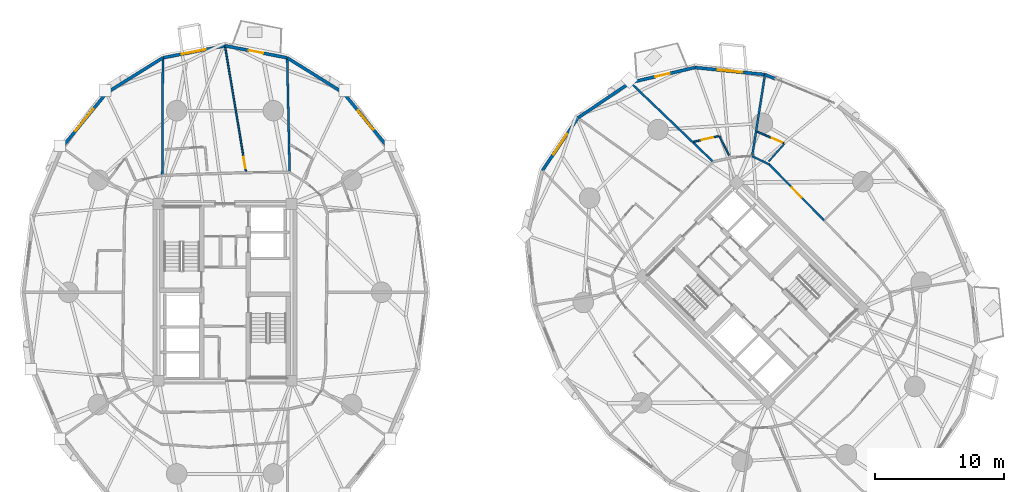
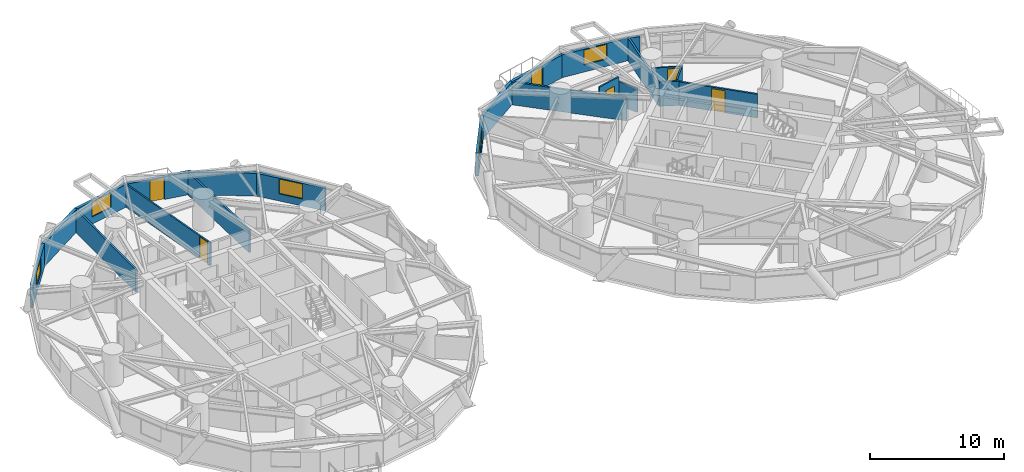
# One storey, part 15 of 19: 22 walls, 6 doors, 5 windows, 11 openings.
"""IFC4 building model written with IfcOpenShell, lengths in metres."""

from ifc_helpers import new_model, si_unit, direction, frame, frame_2d, origin, place, context, subcontext, project, spatial, rectangle, extrude, source, transform, mapped, material, layer, layer_set, type_object, element, fill, save


model = new_model("IFC4")

# Units and contexts
model_context = context("Model", 3, precision=1e-05, world=origin(), true_north=direction((0.0, 1.0)))
body_context = subcontext(model_context, "Body", "Model", "MODEL_VIEW")
ifc_project = project(units=[si_unit("LENGTHUNIT", "METRE"), si_unit("AREAUNIT", "SQUARE_METRE"), si_unit("VOLUMEUNIT", "CUBIC_METRE"), si_unit("PLANEANGLEUNIT", "RADIAN"), si_unit("MASSUNIT", "GRAM", prefix="KILO")], contexts=[model_context])

# Site, building, storey
site_placement = place(None, origin())
site = spatial("IfcSite", under=ifc_project, at=site_placement, CompositionType="ELEMENT")
building_placement = place(site_placement, origin())
building = spatial("IfcBuilding", under=site, at=building_placement, Name="Cununo Teusaquillo Station Towers", CompositionType="ELEMENT")
storey_placement = place(building_placement, frame((0.0, 0.0, 48.18994140625)))
storey = spatial("IfcBuildingStorey", under=building, at=storey_placement, Name="L14", CompositionType="ELEMENT", Elevation=48.18994140625)

# Wall, opening, window
ifc_material_1 = material(Name="Precast concrete C40/50", Category="concrete")
ifc_layer_1 = layer(ifc_material_1, 0.239990234375)
ifc_layer_set_1 = layer_set([ifc_layer_1], Name="Precast concrete C40/50")
wall_type_1 = type_object("IfcWallType", Name="WL-EXT-240", PredefinedType="SOLIDWALL", material=ifc_layer_set_1)
wall_1_placement = place(storey_placement, frame((25.70654296875, 40.0087890625, 0.0), z_axis=(0.0, 0.0, 1.0), x_axis=(0.632713287022, -0.77438614168, 0.0)))
wall_1 = element("IfcWall", 1, at=wall_1_placement, inside=storey, type_object=wall_type_1, Name="L14 Tower A Exterior Facade Wall C02", PredefinedType="SOLIDWALL", context=body_context, shape_type="SweptSolid", body=[
    extrude(rectangle(XDim=5.4765625, YDim=0.239990234375, at=frame_2d((2.73828125, 0.0))), origin(), (0.0, 0.0, 1.0), 2.072998046875),
])
shared_shape_1 = source(origin(), body_context, "Body", "SweptSolid", [
    extrude(rectangle(XDim=1.89990234375, YDim=1.35009765625, at=frame_2d((0.949951171875, 0.675048828125))), frame((0.0, 0.1298828125, 0.0), z_axis=(0.0, -1.0, 0.0), x_axis=(1.0, 0.0, 0.0)), (0.0, 0.0, 1.0), 0.260009765625),
])
opening_1_placement = place(wall_1_placement, frame((1.7880859375, 0.0, 0.64990234375)))
opening_1 = element("IfcOpeningElement", 2, at=opening_1_placement, cuts=wall_1, Name="Opening WN-02", PredefinedType="OPENING", context=body_context, shape_type="MappedRepresentation", body=[
    mapped(shared_shape_1, transform((0.0, 0.0, 0.0), x_axis=(1.0, 0.0, 0.0), y_axis=(0.0, 1.0, 0.0), z_axis=(0.0, 0.0, 1.0), scale=1.0)),
])
ifc_material_2 = material(Name="Operable acoustic tinted low-E double glazing", Category="glass")
window_type_1 = type_object("IfcWindowType", Name="WIN-OPER-1900", PartitioningType="DOUBLE_PANEL_VERTICAL", PredefinedType="WINDOW", material=ifc_material_2)
shared_shape_2 = source(origin(), body_context, "Body", "SweptSolid", [
    extrude(rectangle(XDim=1.89990234375, YDim=1.35009765625, at=frame_2d((0.949951171875, 0.675048828125))), frame((0.0, 0.030029296875, 0.0), z_axis=(0.0, -1.0, 0.0), x_axis=(1.0, 0.0, 0.0)), (0.0, 0.0, 1.0), 0.06005859375),
])
window_1_placement = place(opening_1_placement, origin())
window_1 = element("IfcWindow", 3, at=window_1_placement, inside=storey, type_object=window_type_1, Name="L14 Tower A Facade Window C02", OverallHeight=1.35009765625, OverallWidth=1.89990234375, PartitioningType="DOUBLE_PANEL_VERTICAL", PredefinedType="WINDOW", context=body_context, shape_type="MappedRepresentation", body=[
    mapped(shared_shape_2, transform((0.0, 0.0, 0.0), x_axis=(1.0, 0.0, 0.0), y_axis=(0.0, 1.0, 0.0), z_axis=(0.0, 0.0, 1.0), scale=1.0)),
])
fill(opening_1, window_1)

# Wall
wall_2_placement = place(storey_placement, frame((21.340087890625, 42.731689453125, 0.0), z_axis=(0.0, 0.0, 1.0), x_axis=(0.848533613342, -0.529141481107, 0.0)))
element("IfcWall", 4, at=wall_2_placement, inside=storey, type_object=wall_type_1, Name="L14 Tower A Exterior Facade Wall C03", PredefinedType="SOLIDWALL", context=body_context, shape_type="SweptSolid", body=[
    extrude(rectangle(XDim=5.14599609375, YDim=0.239990234375, at=frame_2d((2.572998046875, 0.0))), origin(), (0.0, 0.0, 1.0), 2.072998046875),
])

# Wall, opening, door
wall_3_placement = place(storey_placement, frame((16.5, 43.669921875, 0.0), z_axis=(0.0, 0.0, 1.0), x_axis=(0.981725274071, -0.190303668512, 0.0)))
wall_3 = element("IfcWall", 5, at=wall_3_placement, inside=storey, type_object=wall_type_1, Name="L14 Tower A Exterior Facade Wall C04", PredefinedType="SOLIDWALL", context=body_context, shape_type="SweptSolid", body=[
    extrude(rectangle(XDim=4.93017578125, YDim=0.239990234375, at=frame_2d((2.465087890625, 0.0))), origin(), (0.0, 0.0, 1.0), 2.072998046875),
])
shared_shape_3 = source(origin(), body_context, "Body", "SweptSolid", [
    extrude(rectangle(XDim=1.14990234375, YDim=2.0048828125, at=frame_2d((0.574951171875, 1.00244140625))), frame((0.0, 0.1298828125, 0.0), z_axis=(0.0, -1.0, 0.0), x_axis=(1.0, 0.0, 0.0)), (0.0, 0.0, 1.0), 0.260009765625),
])
opening_2_placement = place(wall_3_placement, frame((1.889892578125, 0.0, 0.0)))
opening_2 = element("IfcOpeningElement", 6, at=opening_2_placement, cuts=wall_3, Name="Opening ED-03", PredefinedType="OPENING", context=body_context, shape_type="MappedRepresentation", body=[
    mapped(shared_shape_3, transform((0.0, 0.0, 0.0), x_axis=(1.0, 0.0, 0.0), y_axis=(0.0, 1.0, 0.0), z_axis=(0.0, 0.0, 1.0), scale=1.0)),
])
ifc_material_3 = material(Name="Anodised dark bronze aluminium EN AW-6063-T6", Category="aluminium")
door_type_1 = type_object("IfcDoorType", Name="DR-EXT-BAL", OperationType="NOTDEFINED", PredefinedType="DOOR", material=ifc_material_3)
shared_shape_4 = source(origin(), body_context, "Body", "SweptSolid", [
    extrude(rectangle(XDim=1.14990234375, YDim=2.0048828125, at=frame_2d((0.574951171875, 1.00244140625))), frame((0.0, 0.02490234375, 0.0), z_axis=(0.0, -1.0, 0.0), x_axis=(1.0, 0.0, 0.0)), (0.0, 0.0, 1.0), 0.050048828125),
])
door_1_placement = place(opening_2_placement, origin())
door_1 = element("IfcDoor", 7, at=door_1_placement, inside=storey, type_object=door_type_1, Name="L14 Tower A Tree Balcony Door C04", OperationType="SINGLE_SWING_LEFT", OverallHeight=2.0048828125, OverallWidth=1.14990234375, PredefinedType="DOOR", context=body_context, shape_type="MappedRepresentation", body=[
    mapped(shared_shape_4, transform((0.0, 0.0, 0.0), x_axis=(1.0, 0.0, 0.0), y_axis=(0.0, 1.0, 0.0), z_axis=(0.0, 0.0, 1.0), scale=1.0)),
])
fill(opening_2, door_1)

# Wall, opening, window
wall_4_placement = place(storey_placement, frame((11.659912109375, 42.731689453125, 0.0), z_axis=(0.0, 0.0, 1.0), x_axis=(0.981725274071, 0.190303668512, 0.0)))
wall_4 = element("IfcWall", 8, at=wall_4_placement, inside=storey, type_object=wall_type_1, Name="L14 Tower A Exterior Facade Wall C05", PredefinedType="SOLIDWALL", context=body_context, shape_type="SweptSolid", body=[
    extrude(rectangle(XDim=4.93017578125, YDim=0.239990234375, at=frame_2d((2.465087890625, 0.0))), origin(), (0.0, 0.0, 1.0), 2.072998046875),
])
opening_3_placement = place(wall_4_placement, frame((1.514892578125, 0.0, 0.64990234375)))
opening_3 = element("IfcOpeningElement", 9, at=opening_3_placement, cuts=wall_4, Name="Opening WN-02", PredefinedType="OPENING", context=body_context, shape_type="MappedRepresentation", body=[
    mapped(shared_shape_1, transform((0.0, 0.0, 0.0), x_axis=(1.0, 0.0, 0.0), y_axis=(0.0, 1.0, 0.0), z_axis=(0.0, 0.0, 1.0), scale=1.0)),
])
window_2_placement = place(opening_3_placement, origin())
window_2 = element("IfcWindow", 10, at=window_2_placement, inside=storey, type_object=window_type_1, Name="L14 Tower A Facade Window C05", OverallHeight=1.35009765625, OverallWidth=1.89990234375, PartitioningType="DOUBLE_PANEL_VERTICAL", PredefinedType="WINDOW", context=body_context, shape_type="MappedRepresentation", body=[
    mapped(shared_shape_2, transform((0.0, 0.0, 0.0), x_axis=(1.0, 0.0, 0.0), y_axis=(0.0, 1.0, 0.0), z_axis=(0.0, 0.0, 1.0), scale=1.0)),
])
fill(opening_3, window_2)

# Wall
wall_5_placement = place(storey_placement, frame((7.29345703125, 40.0087890625, 0.0), z_axis=(0.0, 0.0, 1.0), x_axis=(0.848533613342, 0.529141481107, 0.0)))
element("IfcWall", 11, at=wall_5_placement, inside=storey, type_object=wall_type_1, Name="L14 Tower A Exterior Facade Wall C06", PredefinedType="SOLIDWALL", context=body_context, shape_type="SweptSolid", body=[
    extrude(rectangle(XDim=5.14599609375, YDim=0.239990234375, at=frame_2d((2.572998046875, 0.0))), origin(), (0.0, 0.0, 1.0), 2.072998046875),
])

# Wall, opening, window
wall_6_placement = place(storey_placement, frame((3.828369140625, 35.767822265625, 0.0), z_axis=(0.0, 0.0, 1.0), x_axis=(0.632713287022, 0.77438614168, 0.0)))
wall_6 = element("IfcWall", 12, at=wall_6_placement, inside=storey, type_object=wall_type_1, Name="L14 Tower A Exterior Facade Wall C07", PredefinedType="SOLIDWALL", context=body_context, shape_type="SweptSolid", body=[
    extrude(rectangle(XDim=5.4765625, YDim=0.239990234375, at=frame_2d((2.73828125, 0.0))), origin(), (0.0, 0.0, 1.0), 2.072998046875),
])
shared_shape_5 = source(origin(), body_context, "Body", "SweptSolid", [
    extrude(rectangle(XDim=2.199951171875, YDim=1.35009765625, at=frame_2d((1.10009765625, 0.675048828125))), frame((0.0, 0.1298828125, 0.0), z_axis=(0.0, -1.0, 0.0), x_axis=(1.0, 0.0, 0.0)), (0.0, 0.0, 1.0), 0.260009765625),
])
opening_4_placement = place(wall_6_placement, frame((1.637939453125, 0.0, 0.64990234375)))
opening_4 = element("IfcOpeningElement", 13, at=opening_4_placement, cuts=wall_6, Name="Opening WN-01", PredefinedType="OPENING", context=body_context, shape_type="MappedRepresentation", body=[
    mapped(shared_shape_5, transform((0.0, 0.0, 0.0), x_axis=(1.0, 0.0, 0.0), y_axis=(0.0, 1.0, 0.0), z_axis=(0.0, 0.0, 1.0), scale=1.0)),
])
ifc_material_4 = material(Name="Ceramic-fritted dark low-E double glazing", Category="glass")
window_type_2 = type_object("IfcWindowType", Name="WIN-FRIT-2200", PartitioningType="DOUBLE_PANEL_VERTICAL", PredefinedType="WINDOW", material=ifc_material_4)
shared_shape_6 = source(origin(), body_context, "Body", "SweptSolid", [
    extrude(rectangle(XDim=2.199951171875, YDim=1.35009765625, at=frame_2d((1.10009765625, 0.675048828125))), frame((0.0, 0.030029296875, 0.0), z_axis=(0.0, -1.0, 0.0), x_axis=(1.0, 0.0, 0.0)), (0.0, 0.0, 1.0), 0.06005859375),
])
window_3_placement = place(opening_4_placement, origin())
window_3 = element("IfcWindow", 14, at=window_3_placement, inside=storey, type_object=window_type_2, Name="L14 Tower A Facade Window C07", OverallHeight=1.35009765625, OverallWidth=2.199951171875, PartitioningType="DOUBLE_PANEL_VERTICAL", PredefinedType="WINDOW", context=body_context, shape_type="MappedRepresentation", body=[
    mapped(shared_shape_6, transform((0.0, 0.0, 0.0), x_axis=(1.0, 0.0, 0.0), y_axis=(0.0, 1.0, 0.0), z_axis=(0.0, 0.0, 1.0), scale=1.0)),
])
fill(opening_4, window_3)

# Wall
wall_7_placement = place(storey_placement, frame((58.49267578125, 41.427734375, 0.0), z_axis=(0.0, 0.0, 1.0), x_axis=(0.924556017656, -0.381046152345, 0.0)))
element("IfcWall", 15, at=wall_7_placement, inside=storey, type_object=wall_type_1, Name="L14 Tower B Column Pier Cladding Wall C01-PA", PredefinedType="SOLIDWALL", context=body_context, shape_type="SweptSolid", body=[
    extrude(rectangle(XDim=0.8701171875, YDim=0.239990234375, at=frame_2d((0.43505859375, 0.0))), origin(), (0.0, 0.0, 1.0), 2.072998046875),
])

# Wall, opening, window
wall_8_placement = place(storey_placement, frame((53.04345703125, 41.976318359375, 0.0), z_axis=(0.0, 0.0, 1.0), x_axis=(0.994970765694, -0.100165739718, 0.0)))
wall_8 = element("IfcWall", 16, at=wall_8_placement, inside=storey, type_object=wall_type_1, Name="L14 Tower B Exterior Facade Wall C02", PredefinedType="SOLIDWALL", context=body_context, shape_type="SweptSolid", body=[
    extrude(rectangle(XDim=5.476806640625, YDim=0.239990234375, at=frame_2d((2.73828125, 0.0))), origin(), (0.0, 0.0, 1.0), 2.072998046875),
])
opening_5_placement = place(wall_8_placement, frame((1.7880859375, 0.0, 0.64990234375)))
opening_5 = element("IfcOpeningElement", 17, at=opening_5_placement, cuts=wall_8, Name="Opening WN-02", PredefinedType="OPENING", context=body_context, shape_type="MappedRepresentation", body=[
    mapped(shared_shape_1, transform((0.0, 0.0, 0.0), x_axis=(1.0, 0.0, 0.0), y_axis=(0.0, 1.0, 0.0), z_axis=(0.0, 0.0, 1.0), scale=1.0)),
])
window_4_placement = place(opening_5_placement, origin())
window_4 = element("IfcWindow", 18, at=window_4_placement, inside=storey, type_object=window_type_1, Name="L14 Tower B Facade Window C02", OverallHeight=1.35009765625, OverallWidth=1.89990234375, PartitioningType="DOUBLE_PANEL_VERTICAL", PredefinedType="WINDOW", context=body_context, shape_type="MappedRepresentation", body=[
    mapped(shared_shape_2, transform((0.0, 0.0, 0.0), x_axis=(1.0, 0.0, 0.0), y_axis=(0.0, 1.0, 0.0), z_axis=(0.0, 0.0, 1.0), scale=1.0)),
])
fill(opening_5, window_4)

# Wall, opening, door
wall_9_placement = place(storey_placement, frame((48.030517578125, 40.814208984375, 0.0), z_axis=(0.0, 0.0, 1.0), x_axis=(0.974166016949, 0.225833060959, 0.0)))
wall_9 = element("IfcWall", 19, at=wall_9_placement, inside=storey, type_object=wall_type_1, Name="L14 Tower B Exterior Facade Wall C03", PredefinedType="SOLIDWALL", context=body_context, shape_type="SweptSolid", body=[
    extrude(rectangle(XDim=5.14599609375, YDim=0.239990234375, at=frame_2d((2.572998046875, 0.0))), origin(), (0.0, 0.0, 1.0), 2.072998046875),
])
opening_6_placement = place(wall_9_placement, frame((1.998046875, 0.0, 0.0)))
opening_6 = element("IfcOpeningElement", 20, at=opening_6_placement, cuts=wall_9, Name="Opening ED-03", PredefinedType="OPENING", context=body_context, shape_type="MappedRepresentation", body=[
    mapped(shared_shape_3, transform((0.0, 0.0, 0.0), x_axis=(1.0, 0.0, 0.0), y_axis=(0.0, 1.0, 0.0), z_axis=(0.0, 0.0, 1.0), scale=1.0)),
])
door_2_placement = place(opening_6_placement, origin())
door_2 = element("IfcDoor", 21, at=door_2_placement, inside=storey, type_object=door_type_1, Name="L14 Tower B Tree Balcony Door C03", OperationType="SINGLE_SWING_LEFT", OverallHeight=2.0048828125, OverallWidth=1.14990234375, PredefinedType="DOOR", context=body_context, shape_type="MappedRepresentation", body=[
    mapped(shared_shape_4, transform((0.0, 0.0, 0.0), x_axis=(1.0, 0.0, 0.0), y_axis=(0.0, 1.0, 0.0), z_axis=(0.0, 0.0, 1.0), scale=1.0)),
])
fill(opening_6, door_2)

# Wall
wall_10_placement = place(storey_placement, frame((43.94482421875, 38.05517578125, 0.0), z_axis=(0.0, 0.0, 1.0), x_axis=(0.828736708604, 0.559638693991, 0.0)))
element("IfcWall", 22, at=wall_10_placement, inside=storey, type_object=wall_type_1, Name="L14 Tower B Exterior Facade Wall C04", PredefinedType="SOLIDWALL", context=body_context, shape_type="SweptSolid", body=[
    extrude(rectangle(XDim=4.929931640625, YDim=0.239990234375, at=frame_2d((2.46484375, 0.0))), origin(), (0.0, 0.0, 1.0), 2.072998046875),
])

# Wall, opening, window
wall_11_placement = place(storey_placement, frame((41.185791015625, 33.969482421875, 0.0), z_axis=(0.0, 0.0, 1.0), x_axis=(0.559638693991, 0.828736708604, 0.0)))
wall_11 = element("IfcWall", 23, at=wall_11_placement, inside=storey, type_object=wall_type_1, Name="L14 Tower B Exterior Facade Wall C05", PredefinedType="SOLIDWALL", context=body_context, shape_type="SweptSolid", body=[
    extrude(rectangle(XDim=4.929931640625, YDim=0.239990234375, at=frame_2d((2.46484375, 0.0))), origin(), (0.0, 0.0, 1.0), 2.072998046875),
])
opening_7_placement = place(wall_11_placement, frame((1.514892578125, 0.0, 0.64990234375)))
opening_7 = element("IfcOpeningElement", 24, at=opening_7_placement, cuts=wall_11, Name="Opening WN-02", PredefinedType="OPENING", context=body_context, shape_type="MappedRepresentation", body=[
    mapped(shared_shape_1, transform((0.0, 0.0, 0.0), x_axis=(1.0, 0.0, 0.0), y_axis=(0.0, 1.0, 0.0), z_axis=(0.0, 0.0, 1.0), scale=1.0)),
])
window_5_placement = place(opening_7_placement, origin())
window_5 = element("IfcWindow", 25, at=window_5_placement, inside=storey, type_object=window_type_1, Name="L14 Tower B Facade Window C05", OverallHeight=1.35009765625, OverallWidth=1.89990234375, PartitioningType="DOUBLE_PANEL_VERTICAL", PredefinedType="WINDOW", context=body_context, shape_type="MappedRepresentation", body=[
    mapped(shared_shape_2, transform((0.0, 0.0, 0.0), x_axis=(1.0, 0.0, 0.0), y_axis=(0.0, 1.0, 0.0), z_axis=(0.0, 0.0, 1.0), scale=1.0)),
])
fill(opening_7, window_5)

# Wall, opening, door
ifc_material_5 = material(Name="Fire-rated gypsum plasterboard partition assembly", Category="gypsum")
ifc_layer_2 = layer(ifc_material_5, 0.125)
ifc_layer_set_2 = layer_set([ifc_layer_2], Name="Fire-rated gypsum plasterboard partition assembly")
wall_type_2 = type_object("IfcWallType", Name="WL-PART-125", PredefinedType="PARTITIONING", material=ifc_layer_set_2)
wall_12_placement = place(storey_placement, frame((18.142822265625, 33.8095703125, 0.0), z_axis=(0.0, 0.0, 1.0), x_axis=(-0.164668829219, 0.986348912243, 0.0)))
wall_12 = element("IfcWall", 26, at=wall_12_placement, inside=storey, type_object=wall_type_2, Name="L14 Tower A Presidential Hospitality Suite Suite Subdividing Wall", PredefinedType="PARTITIONING", context=body_context, shape_type="SweptSolid", body=[
    extrude(rectangle(XDim=9.9765625, YDim=0.125, at=frame_2d((4.98828125, 0.0))), origin(), (0.0, 0.0, 1.0), 2.072998046875),
])
shared_shape_7 = source(origin(), body_context, "Body", "SweptSolid", [
    extrude(rectangle(XDim=0.89990234375, YDim=2.0048828125, at=frame_2d((0.449951171875, 1.00244140625))), frame((0.0, 0.072509765625, 0.0), z_axis=(0.0, -1.0, 0.0), x_axis=(1.0, 0.0, 0.0)), (0.0, 0.0, 1.0), 0.14501953125),
])
opening_8_placement = place(wall_12_placement, frame((0.330078125, 0.0, 0.0)))
opening_8 = element("IfcOpeningElement", 27, at=opening_8_placement, cuts=wall_12, Name="Opening D-IN1", PredefinedType="OPENING", context=body_context, shape_type="MappedRepresentation", body=[
    mapped(shared_shape_7, transform((0.0, 0.0, 0.0), x_axis=(1.0, 0.0, 0.0), y_axis=(0.0, 1.0, 0.0), z_axis=(0.0, 0.0, 1.0), scale=1.0)),
])
ifc_material_6 = material(Name="Acoustic solid-core hardwood leaf assembly", Category="wood")
door_type_2 = type_object("IfcDoorType", Name="DR-INT-900", OperationType="NOTDEFINED", PredefinedType="DOOR", material=ifc_material_6)
shared_shape_8 = source(origin(), body_context, "Body", "SweptSolid", [
    extrude(rectangle(XDim=0.89990234375, YDim=2.0048828125, at=frame_2d((0.449951171875, 1.00244140625))), frame((0.0, 0.02490234375, 0.0), z_axis=(0.0, -1.0, 0.0), x_axis=(1.0, 0.0, 0.0)), (0.0, 0.0, 1.0), 0.050048828125),
])
door_3_placement = place(opening_8_placement, origin())
door_3 = element("IfcDoor", 28, at=door_3_placement, inside=storey, type_object=door_type_2, Name="L14 Tower A Presidential Hospitality Suite Suite Connecting Door", OperationType="SINGLE_SWING_LEFT", OverallHeight=2.0048828125, OverallWidth=0.89990234375, PredefinedType="DOOR", context=body_context, shape_type="MappedRepresentation", body=[
    mapped(shared_shape_8, transform((0.0, 0.0, 0.0), x_axis=(1.0, 0.0, 0.0), y_axis=(0.0, 1.0, 0.0), z_axis=(0.0, 0.0, 1.0), scale=1.0)),
])
fill(opening_8, door_3)

# Wall
wall_13_placement = place(storey_placement, frame((55.6953125, 35.158203125, 0.0), z_axis=(0.0, 0.0, 1.0), x_axis=(-0.450698346964, 0.892676313142, 0.0)))
element("IfcWall", 29, at=wall_13_placement, inside=storey, type_object=wall_type_2, Name="L14 Tower B S01 En-suite Side Wall", PredefinedType="PARTITIONING", context=body_context, shape_type="SweptSolid", body=[
    extrude(rectangle(XDim=1.6796875, YDim=0.125, at=frame_2d((0.83984375, 0.0))), origin(), (0.0, 0.0, 1.0), 2.205078125),
])

# Wall, opening, door
wall_14_placement = place(storey_placement, frame((54.877685546875, 36.643798828125, 0.0), z_axis=(0.0, 0.0, 1.0), x_axis=(-0.974554917581, -0.224148862631, 0.0)))
wall_14 = element("IfcWall", 30, at=wall_14_placement, inside=storey, type_object=wall_type_2, Name="L14 Tower B S01 En-suite Back Wall", PredefinedType="PARTITIONING", context=body_context, shape_type="SweptSolid", body=[
    extrude(rectangle(XDim=1.982421875, YDim=0.125, at=frame_2d((0.9912109375, 0.0))), origin(), (0.0, 0.0, 1.0), 2.635009765625),
])
opening_9_placement = place(wall_14_placement, frame((0.43603515625, 0.0, 0.0)))
opening_9 = element("IfcOpeningElement", 31, at=opening_9_placement, cuts=wall_14, Name="Opening D-IN1", PredefinedType="OPENING", context=body_context, shape_type="MappedRepresentation", body=[
    mapped(shared_shape_7, transform((0.0, 0.0, 0.0), x_axis=(1.0, 0.0, 0.0), y_axis=(0.0, 1.0, 0.0), z_axis=(0.0, 0.0, 1.0), scale=1.0)),
])
door_4_placement = place(opening_9_placement, origin())
door_4 = element("IfcDoor", 32, at=door_4_placement, inside=storey, type_object=door_type_2, Name="L14 Tower B S01 En-suite Bathroom Door", OperationType="SINGLE_SWING_LEFT", OverallHeight=2.0048828125, OverallWidth=0.89990234375, PredefinedType="DOOR", context=body_context, shape_type="MappedRepresentation", body=[
    mapped(shared_shape_8, transform((0.0, 0.0, 0.0), x_axis=(1.0, 0.0, 0.0), y_axis=(0.0, 1.0, 0.0), z_axis=(0.0, 0.0, 1.0), scale=1.0)),
])
fill(opening_9, door_4)

# Wall
wall_15_placement = place(storey_placement, frame((58.7802734375, 34.67578125, 0.0), z_axis=(0.0, 0.0, 1.0), x_axis=(0.6649433297, 0.746893813261, 0.0)))
element("IfcWall", 33, at=wall_15_placement, inside=storey, type_object=wall_type_2, Name="L14 Tower B S09 En-suite Side Wall", PredefinedType="PARTITIONING", context=body_context, shape_type="SweptSolid", body=[
    extrude(rectangle(XDim=1.85595703125, YDim=0.125, at=frame_2d((0.927978515625, 0.0))), origin(), (0.0, 0.0, 1.0), 2.205078125),
])

# Wall, opening, door
wall_16_placement = place(storey_placement, frame((59.9501953125, 36.090087890625, 0.0), z_axis=(0.0, 0.0, 1.0), x_axis=(-0.916037613906, 0.401092370795, 0.0)))
wall_16 = element("IfcWall", 34, at=wall_16_placement, inside=storey, type_object=wall_type_2, Name="L14 Tower B S09 En-suite Back Wall", PredefinedType="PARTITIONING", context=body_context, shape_type="SweptSolid", body=[
    extrude(rectangle(XDim=2.247314453125, YDim=0.125, at=frame_2d((1.12353515625, 0.0))), origin(), (0.0, 0.0, 1.0), 2.1591796875),
])
opening_10_placement = place(wall_16_placement, frame((0.1201171875, 0.0, 0.0)))
opening_10 = element("IfcOpeningElement", 35, at=opening_10_placement, cuts=wall_16, Name="Opening D-IN1", PredefinedType="OPENING", context=body_context, shape_type="MappedRepresentation", body=[
    mapped(shared_shape_7, transform((0.0, 0.0, 0.0), x_axis=(1.0, 0.0, 0.0), y_axis=(0.0, 1.0, 0.0), z_axis=(0.0, 0.0, 1.0), scale=1.0)),
])
door_5_placement = place(opening_10_placement, origin())
door_5 = element("IfcDoor", 36, at=door_5_placement, inside=storey, type_object=door_type_2, Name="L14 Tower B S09 En-suite Bathroom Door", OperationType="SINGLE_SWING_LEFT", OverallHeight=2.0048828125, OverallWidth=0.89990234375, PredefinedType="DOOR", context=body_context, shape_type="MappedRepresentation", body=[
    mapped(shared_shape_8, transform((0.0, 0.0, 0.0), x_axis=(1.0, 0.0, 0.0), y_axis=(0.0, 1.0, 0.0), z_axis=(0.0, 0.0, 1.0), scale=1.0)),
])
fill(opening_10, door_5)

ifc_material_7 = material(Name="Fire-rated gypsum plasterboard partition assembly", Category="gypsum")
ifc_layer_3 = layer(ifc_material_7, 0.14990234375)
ifc_layer_set_3 = layer_set([ifc_layer_3], Name="Fire-rated gypsum plasterboard partition assembly")
wall_type_3 = type_object("IfcWallType", Name="WL-PART-150", PredefinedType="PARTITIONING", material=ifc_layer_set_3)
wall_17_placement = place(storey_placement, frame((63.086181640625, 30.086181640625, 0.0), z_axis=(0.0, 0.0, 1.0), x_axis=(-0.699032802832, 0.715089603172, 0.0)))
wall_17 = element("IfcWall", 37, at=wall_17_placement, inside=storey, type_object=wall_type_3, Name="L14 Tower B Corridor Ring Wall C00", PredefinedType="PARTITIONING", context=body_context, shape_type="SweptSolid", body=[
    extrude(rectangle(XDim=6.08203125, YDim=0.14990234375, at=frame_2d((3.041015625, 0.0))), origin(), (0.0, 0.0, 1.0), 2.1591796875),
])
shared_shape_9 = source(origin(), body_context, "Body", "SweptSolid", [
    extrude(rectangle(XDim=1.050048828125, YDim=2.014892578125, at=frame_2d((0.52490234375, 1.00732421875))), frame((0.0, 0.0849609375, 0.0), z_axis=(0.0, -1.0, 0.0), x_axis=(1.0, 0.0, 0.0)), (0.0, 0.0, 1.0), 0.169921875),
])
opening_11_placement = place(wall_17_placement, frame((2.51611328125, 0.0, 0.0)))
opening_11 = element("IfcOpeningElement", 38, at=opening_11_placement, cuts=wall_17, Name="Opening D-SU1", PredefinedType="OPENING", context=body_context, shape_type="MappedRepresentation", body=[
    mapped(shared_shape_9, transform((0.0, 0.0, 0.0), x_axis=(1.0, 0.0, 0.0), y_axis=(0.0, 1.0, 0.0), z_axis=(0.0, 0.0, 1.0), scale=1.0)),
])
ifc_material_8 = material(Name="Acoustic solid-core hardwood leaf assembly", Category="wood")
door_type_3 = type_object("IfcDoorType", Name="DR-SUITE-1050", OperationType="NOTDEFINED", PredefinedType="DOOR", material=ifc_material_8)
shared_shape_10 = source(origin(), body_context, "Body", "SweptSolid", [
    extrude(rectangle(XDim=1.050048828125, YDim=2.014892578125, at=frame_2d((0.52490234375, 1.00732421875))), frame((0.0, 0.02490234375, 0.0), z_axis=(0.0, -1.0, 0.0), x_axis=(1.0, 0.0, 0.0)), (0.0, 0.0, 1.0), 0.050048828125),
])
door_6_placement = place(opening_11_placement, origin())
door_6 = element("IfcDoor", 39, at=door_6_placement, inside=storey, type_object=door_type_3, Name="L14 Tower B Premier Diplomatic Hotel Suite Entrance Door", OperationType="SINGLE_SWING_RIGHT", OverallHeight=2.014892578125, OverallWidth=1.050048828125, PredefinedType="DOOR", context=body_context, shape_type="MappedRepresentation", body=[
    mapped(shared_shape_10, transform((0.0, 0.0, 0.0), x_axis=(1.0, 0.0, 0.0), y_axis=(0.0, 1.0, 0.0), z_axis=(0.0, 0.0, 1.0), scale=1.0)),
])
fill(opening_11, door_6)

# Walls
wall_18_placement = place(storey_placement, frame((58.834716796875, 34.435302734375, 0.0), z_axis=(0.0, 0.0, 1.0), x_axis=(-0.900352167336, 0.4351620098, 0.0)))
element("IfcWall", 40, at=wall_18_placement, inside=storey, type_object=wall_type_3, Name="L14 Tower B Corridor Ring Wall C01", PredefinedType="PARTITIONING", context=body_context, shape_type="SweptSolid", body=[
    extrude(rectangle(XDim=1.48779296875, YDim=0.14990234375, at=frame_2d((0.743896484375, 0.0))), origin(), (0.0, 0.0, 1.0), 2.205078125),
])
ifc_material_9 = material(Name="Fire-rated gypsum plasterboard partition assembly", Category="gypsum")
ifc_layer_4 = layer(ifc_material_9, 0.159912109375)
ifc_layer_set_4 = layer_set([ifc_layer_4], Name="Fire-rated gypsum plasterboard partition assembly")
wall_type_4 = type_object("IfcWallType", Name="WL-PART-160", PredefinedType="PARTITIONING", material=ifc_layer_set_4)
wall_19_placement = place(storey_placement, frame((21.52685546875, 33.82421875, 0.0), z_axis=(0.0, 0.0, 1.0), x_axis=(-0.021694017061, 0.999764657119, 0.0)))
element("IfcWall", 41, at=wall_19_placement, inside=storey, type_object=wall_type_4, Name="L14 Tower A Radial Suite Partition R03", PredefinedType="PARTITIONING", context=body_context, shape_type="SweptSolid", body=[
    extrude(rectangle(XDim=8.890625, YDim=0.159912109375, at=frame_2d((4.4453125, 0.0))), origin(), (0.0, 0.0, 1.0), 2.072998046875),
])
wall_20_placement = place(storey_placement, frame((11.619873046875, 33.587890625, 0.0), z_axis=(0.0, 0.0, 1.0), x_axis=(0.005056791532, 0.999987214348, 0.0)))
element("IfcWall", 42, at=wall_20_placement, inside=storey, type_object=wall_type_4, Name="L14 Tower A Radial Suite Partition R04", PredefinedType="PARTITIONING", context=body_context, shape_type="SweptSolid", body=[
    extrude(rectangle(XDim=9.124755859375, YDim=0.159912109375, at=frame_2d((4.5625, 0.0))), origin(), (0.0, 0.0, 1.0), 2.072998046875),
])
wall_21_placement = place(storey_placement, frame((57.4951171875, 35.082763671875, 0.0), z_axis=(0.0, 0.0, 1.0), x_axis=(0.155296837382, 0.987867851638, 0.0)))
element("IfcWall", 43, at=wall_21_placement, inside=storey, type_object=wall_type_4, Name="L14 Tower B Radial Suite Partition R02", PredefinedType="PARTITIONING", context=body_context, shape_type="SweptSolid", body=[
    extrude(rectangle(XDim=6.403076171875, YDim=0.159912109375, at=frame_2d((3.20166015625, 0.0))), origin(), (0.0, 0.0, 1.0), 2.072998046875),
])
wall_22_placement = place(storey_placement, frame((54.46142578125, 34.647705078125, 0.0), z_axis=(0.0, 0.0, 1.0), x_axis=(-0.722290498621, 0.691589788532, 0.0)))
element("IfcWall", 44, at=wall_22_placement, inside=storey, type_object=wall_type_4, Name="L14 Tower B Radial Suite Partition R03", PredefinedType="PARTITIONING", context=body_context, shape_type="SweptSolid", body=[
    extrude(rectangle(XDim=8.890625, YDim=0.159912109375, at=frame_2d((4.4453125, 0.0))), origin(), (0.0, 0.0, 1.0), 2.072998046875),
])

save(model, "model.ifc")
